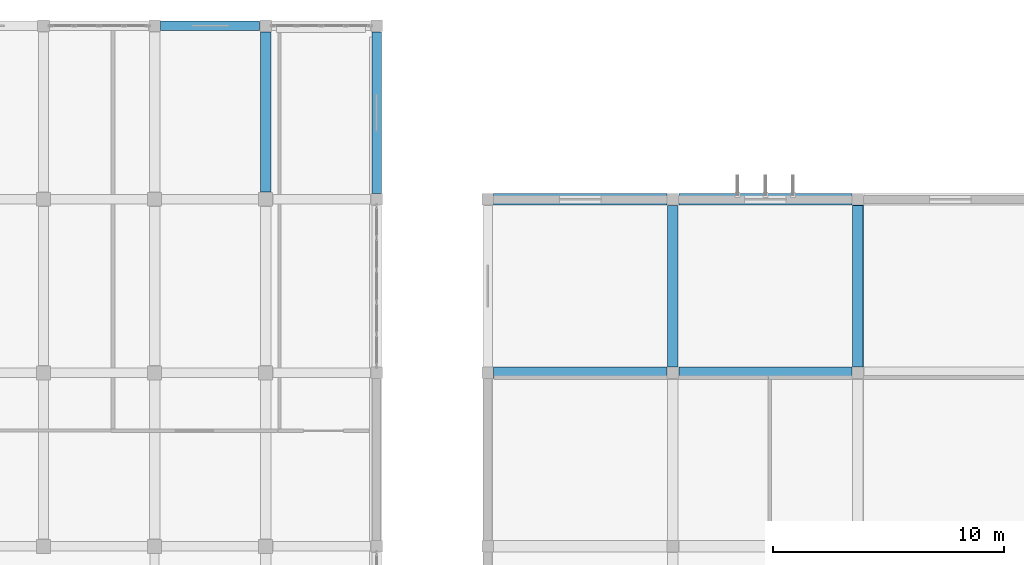
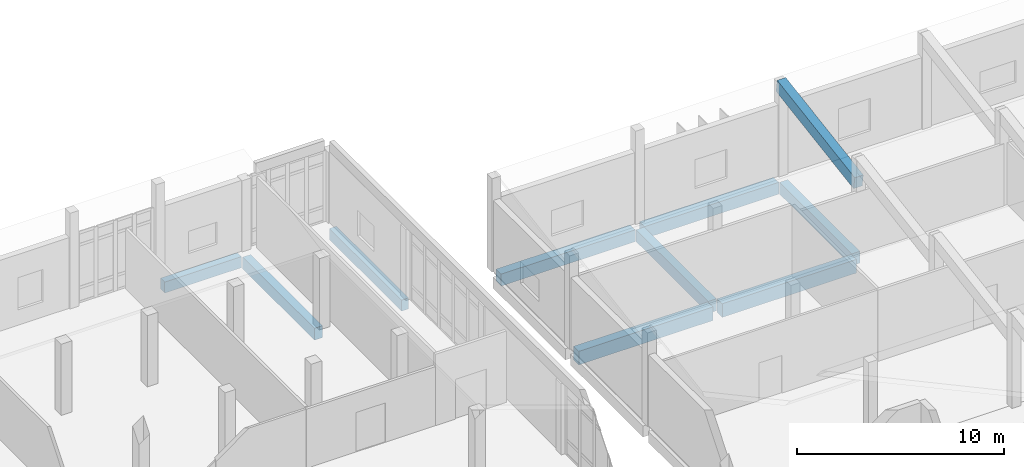
# One storey, part 103 of 164: 10 beams.
"""IFC4 building model written with IfcOpenShell, lengths in metres."""

from ifc_helpers import new_model, si_unit, direction, frame, origin, origin_2d, place, context, subcontext, project, spatial, rectangle, extrude, material, material_profile, profile_set, type_object, element, save


model = new_model("IFC4")

# Units and contexts
model_context = context("Model", 3, precision=1e-05, world=origin(), true_north=direction((0.0, 1.0)))
body_context = subcontext(model_context, "Body", "Model", "MODEL_VIEW")
ifc_project = project(units=[si_unit("LENGTHUNIT", "METRE"), si_unit("AREAUNIT", "SQUARE_METRE"), si_unit("VOLUMEUNIT", "CUBIC_METRE"), si_unit("PLANEANGLEUNIT", "RADIAN"), si_unit("MASSUNIT", "GRAM", prefix="KILO")], contexts=[model_context])

# Site, building, storey
site_placement = place(None, origin())
site = spatial("IfcSite", under=ifc_project, at=site_placement, CompositionType="ELEMENT")
building_placement = place(site_placement, origin())
building = spatial("IfcBuilding", under=site, at=building_placement, Name="Mawjan Specialist Oncology Clinic", CompositionType="ELEMENT")
storey_placement = place(building_placement, frame((0.0, 0.0, 5.0)))
storey = spatial("IfcBuildingStorey", under=building, at=storey_placement, Name="L01", CompositionType="ELEMENT", Elevation=5.0)

# Beams
ifc_material_1 = material(Name="Concrete C40/50", Category="concrete")
ifc_material_profile_1 = material_profile(ifc_material_1, rectangle(XDim=0.449951171875, YDim=0.699951171875, at=origin_2d()), Name="RC BM 450x700", Category="concrete")
ifc_profile_set_1 = profile_set([ifc_material_profile_1], Name="Concrete C40/50")
beam_type_1 = type_object("IfcBeamType", Name="BM-450x700", PredefinedType="BEAM", material=ifc_profile_set_1)
beam_1_placement = place(storey_placement, frame((98.39990234375, 106.110107421875, -0.64990234375), z_axis=(0.0, 1.0, 0.0), x_axis=(-1.0, 0.0, 0.0)))
element("IfcBeam", 1, at=beam_1_placement, inside=storey, type_object=beam_type_1, Name="L01 Collector Beam BM-L01-0549", PredefinedType="BEAM", context=body_context, shape_type="SweptSolid", body=[
    extrude(rectangle(XDim=0.449951171875, YDim=0.699951171875, at=origin_2d()), origin(), (0.0, 0.0, 1.0), 6.929931640625),
])
for number, where, z_axis, x_axis, name in (
    (2, (116.0, 98.56005859375, -0.64990234375), (0.0, 1.0, 0.0), (-1.0, 0.0, 0.0), "L01 Collector Beam BM-L01-0567"),
    (3, (124.0, 98.56005859375, -0.64990234375), (0.0, 1.0, 0.0), (-1.0, 0.0, 0.0), "L01 Collector Beam BM-L01-0570"),
):
    element("IfcBeam", number, at=place(storey_placement, frame(where, z_axis=z_axis, x_axis=x_axis)), inside=storey, type_object=beam_type_1, Name=name, PredefinedType="BEAM", context=body_context, shape_type="SweptSolid", body=[
        extrude(rectangle(XDim=0.449951171875, YDim=0.699951171875, at=origin_2d()), origin(), (0.0, 0.0, 1.0), 6.97998046875),
    ])
ifc_material_2 = material(Name="Concrete C45/55", Category="concrete")
ifc_material_profile_2 = material_profile(ifc_material_2, rectangle(XDim=0.5, YDim=0.800048828125, at=origin_2d()), Name="RC BM 500x800", Category="concrete")
ifc_profile_set_2 = profile_set([ifc_material_profile_2], Name="Concrete C45/55")
beam_type_2 = type_object("IfcBeamType", Name="BM-500x800", PredefinedType="BEAM", material=ifc_profile_set_2)
for number, where, z_axis, x_axis, name in (
    (4, (108.260009765625, 98.300048828125, -0.699951171875), (1.0, 0.0, 0.0), (0.0, 1.0, 0.0), "L01 Collector Beam BM-L01-0386"),
    (5, (116.260009765625, 98.300048828125, -0.699951171875), (1.0, 0.0, 0.0), (0.0, 1.0, 0.0), "L01 Collector Beam BM-L01-0387"),
):
    element("IfcBeam", number, at=place(storey_placement, frame(where, z_axis=z_axis, x_axis=x_axis)), inside=storey, type_object=beam_type_2, Name=name, PredefinedType="BEAM", context=body_context, shape_type="SweptSolid", body=[
        extrude(rectangle(XDim=0.5, YDim=0.800048828125, at=origin_2d()), origin(), (0.0, 0.0, 1.0), 7.47998046875),
    ])
ifc_material_3 = material(Name="Concrete C45/55", Category="concrete")
ifc_material_profile_3 = material_profile(ifc_material_3, rectangle(XDim=0.39990234375, YDim=0.64990234375, at=origin_2d()), Name="RC BM 400x650", Category="concrete")
ifc_profile_set_3 = profile_set([ifc_material_profile_3], Name="Concrete C45/55")
beam_type_3 = type_object("IfcBeamType", Name="SP-400x650", PredefinedType="SPANDREL", material=ifc_profile_set_3)
beam_2_placement = place(storey_placement, frame((93.860107421875, 113.300048828125, -0.625), z_axis=(1.0, 0.0, 0.0), x_axis=(0.0, 1.0, 0.0)))
element("IfcBeam", 6, at=beam_2_placement, inside=storey, type_object=beam_type_3, Name="L01 Spandrel Beam BM-L01-0416", PredefinedType="SPANDREL", context=body_context, shape_type="SweptSolid", body=[
    extrude(rectangle(XDim=0.39990234375, YDim=0.64990234375, at=origin_2d()), origin(), (0.0, 0.0, 1.0), 4.27978515625),
])
beam_3_placement = place(storey_placement, frame((103.199951171875, 106.06005859375, -0.625), z_axis=(0.0, 1.0, 0.0), x_axis=(-1.0, 0.0, 0.0)))
element("IfcBeam", 7, at=beam_3_placement, inside=storey, type_object=beam_type_3, Name="L01 Spandrel Beam BM-L01-0556", PredefinedType="SPANDREL", context=body_context, shape_type="SweptSolid", body=[
    extrude(rectangle(XDim=0.39990234375, YDim=0.64990234375, at=origin_2d()), origin(), (0.0, 0.0, 1.0), 6.97998046875),
])
ifc_material_4 = material(Name="Concrete C45/55", Category="concrete")
ifc_material_profile_4 = material_profile(ifc_material_4, rectangle(XDim=0.5, YDim=0.699951171875, at=origin_2d()), Name="RC BM 500x700", Category="concrete")
ifc_profile_set_4 = profile_set([ifc_material_profile_4], Name="Concrete C45/55")
beam_type_4 = type_object("IfcBeamType", Name="SP-500x700", PredefinedType="SPANDREL", material=ifc_profile_set_4)
for number, where, z_axis, x_axis, name in (
    (8, (108.260009765625, 105.800048828125, -0.64990234375), (1.0, 0.0, 0.0), (0.0, 1.0, 0.0), "L01 Spandrel Beam BM-L01-0403"),
    (9, (116.260009765625, 105.800048828125, -0.64990234375), (1.0, 0.0, 0.0), (0.0, 1.0, 0.0), "L01 Spandrel Beam BM-L01-0404"),
):
    element("IfcBeam", number, at=place(storey_placement, frame(where, z_axis=z_axis, x_axis=x_axis)), inside=storey, type_object=beam_type_4, Name=name, PredefinedType="SPANDREL", context=body_context, shape_type="SweptSolid", body=[
        extrude(rectangle(XDim=0.5, YDim=0.699951171875, at=origin_2d()), origin(), (0.0, 0.0, 1.0), 7.47998046875),
    ])
ifc_material_5 = material(Name="Precast concrete C45/55", Category="concrete")
ifc_material_profile_5 = material_profile(ifc_material_5, rectangle(XDim=0.47998046875, YDim=0.719970703125, at=origin_2d()), Name="RC TBM 480x720", Category="concrete")
ifc_profile_set_5 = profile_set([ifc_material_profile_5], Name="Precast concrete C45/55")
beam_type_5 = type_object("IfcBeamType", Name="TBM-SAW", PredefinedType="T_BEAM", material=ifc_profile_set_5)
beam_4_placement = place(storey_placement, frame((124.0, 98.300048828125, 4.030029296875), z_axis=(0.0, 0.987441634807, 0.157984232913), x_axis=(-1.0, 0.0, 0.0)))
element("IfcBeam", 10, at=beam_4_placement, inside=storey, type_object=beam_type_5, Name="Sawtooth Precast T-Beam 4-124", PredefinedType="T_BEAM", context=body_context, shape_type="SweptSolid", body=[
    extrude(rectangle(XDim=0.47998046875, YDim=0.719970703125, at=origin_2d()), origin(), (0.0, 0.0, 1.0), 7.595458984375),
])

save(model, "model.ifc")
